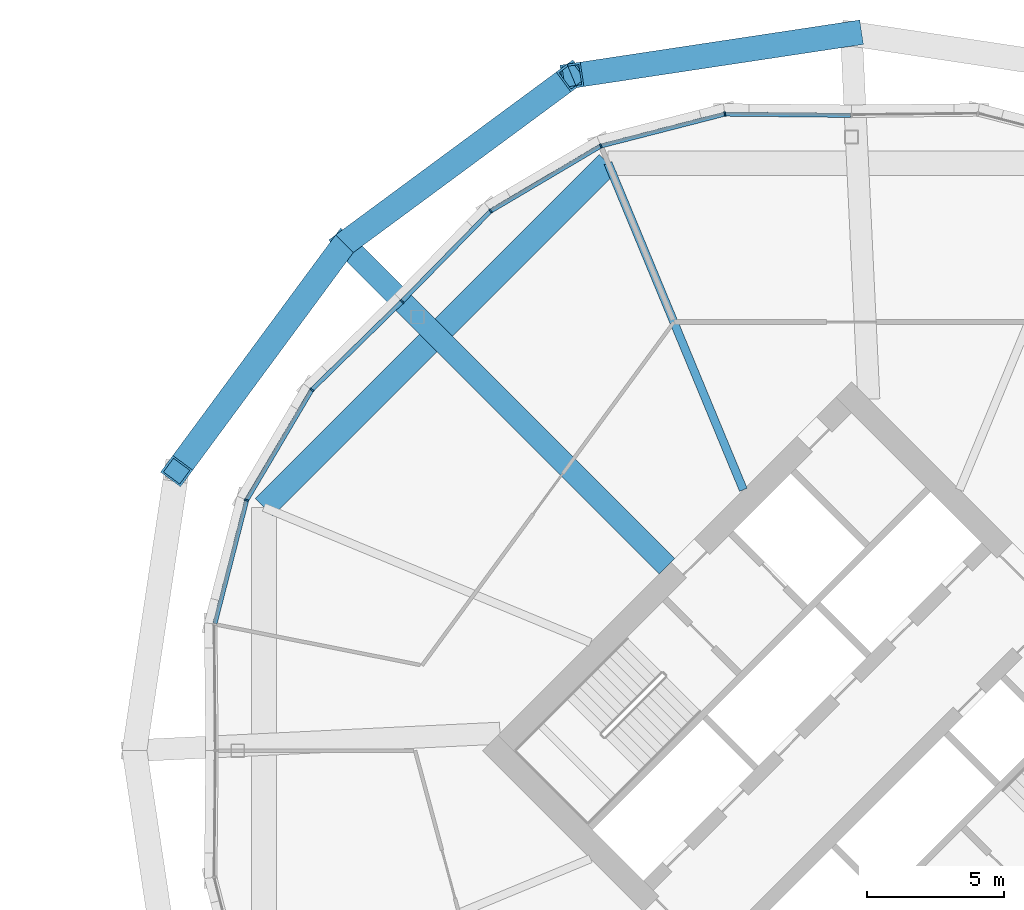
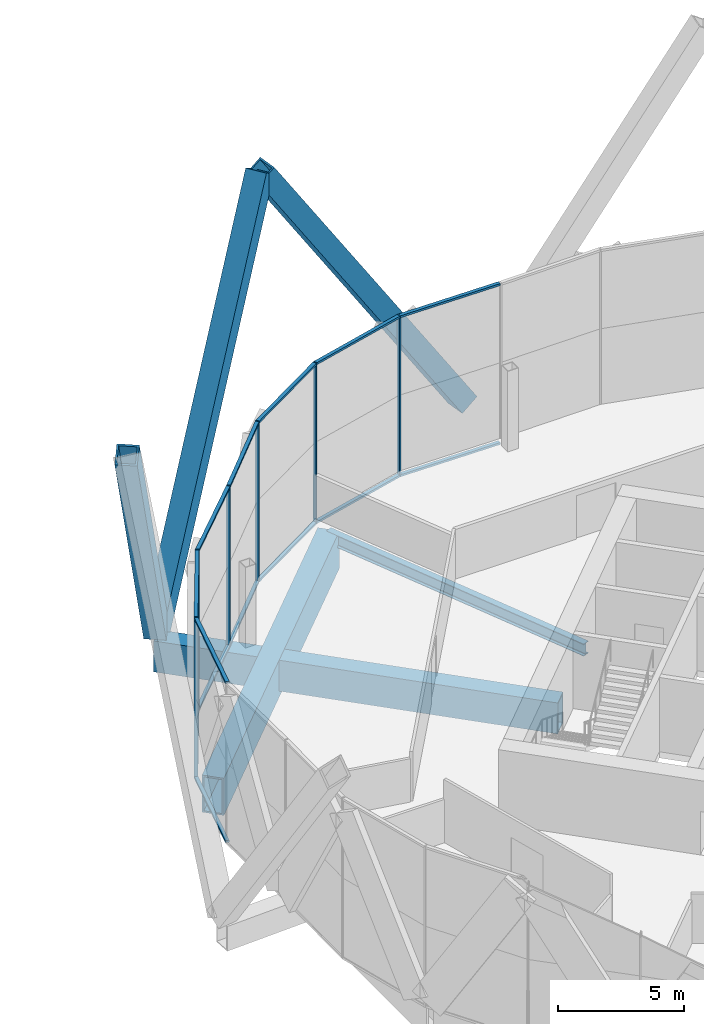
# One storey, part 16 of 28: 23 members, 3 beams, 2 elements without a shape of their own.
"""IFC4 building model written with IfcOpenShell, lengths in metres."""

from ifc_helpers import new_model, si_unit, direction, frame, origin, origin_2d, place, context, subcontext, project, spatial, rectangle, hollow_rectangle, i_section, extrude, material, material_profile, profile_set, type_object, element, aggregate, save


model = new_model("IFC4")

# Units and contexts
model_context = context("Model", 3, precision=1e-05, world=origin(), true_north=direction((0.0, 1.0)))
body_context = subcontext(model_context, "Body", "Model", "MODEL_VIEW")
ifc_project = project(units=[si_unit("LENGTHUNIT", "METRE"), si_unit("AREAUNIT", "SQUARE_METRE"), si_unit("VOLUMEUNIT", "CUBIC_METRE"), si_unit("PLANEANGLEUNIT", "RADIAN"), si_unit("MASSUNIT", "GRAM", prefix="KILO")], contexts=[model_context])

# Site, building, storey
site_placement = place(None, origin())
site = spatial("IfcSite", under=ifc_project, at=site_placement, CompositionType="ELEMENT")
building_placement = place(site_placement, origin())
building = spatial("IfcBuilding", under=site, at=building_placement, Name="Ogive Gate Towers", CompositionType="ELEMENT")
storey_placement = place(building_placement, frame((0.0, 0.0, 115.199951171875)))
storey = spatial("IfcBuildingStorey", under=building, at=storey_placement, Name="L27", CompositionType="ELEMENT", Elevation=115.199951171875)

# Members
ifc_material_1 = material(Name="Steel SM460", Category="steel")
ifc_material_profile_1 = material_profile(ifc_material_1, hollow_rectangle(XDim=0.89990234375, YDim=0.89990234375, WallThickness=0.080078125, at=origin_2d()), Name="BX 900x900x80")
ifc_profile_set_1 = profile_set([ifc_material_profile_1], Name="Steel SM460")
member_type_1 = type_object("IfcMemberType", Name="Diagrid diagonal BX 900x900x80", PredefinedType="BRACE", material=ifc_profile_set_1)
for number, where, z_axis, x_axis, name in (
    (1, (36.0, 26.110107421875, 0.0), (-0.544627829519, -0.082121961007, 0.834647536889), (0.149100004323, -0.988822121876, 0.0), "T2/L27/SDG006"),
    (2, (17.537353515625, 18.462646484375, 0.0), (0.443175302272, 0.327039025082, 0.83465030254), (-0.593774070845, 0.804631811944, 0.0), "T2/L27/SDG007"),
    (3, (17.537353515625, 18.462646484375, 0.0), (-0.327039025082, -0.443175302272, 0.83465030254), (0.804631811944, -0.593774070845, 0.0), "T2/L27/SDG008"),
):
    element("IfcMember", number, at=place(storey_placement, frame(where, z_axis=z_axis, x_axis=x_axis)), inside=storey, type_object=member_type_1, Name=name, PredefinedType="BRACE", context=body_context, shape_type="SweptSolid", body=[
        extrude(hollow_rectangle(XDim=0.89990234375, YDim=0.89990234375, WallThickness=0.080078125, at=origin_2d()), origin(), (0.0, 0.0, 1.0), 18.690673828125),
    ])

# Beams
ifc_material_profile_2 = material_profile(ifc_material_1, hollow_rectangle(XDim=0.89990234375, YDim=1.800048828125, WallThickness=0.080078125, at=origin_2d()), Name="BX 1800x900x80")
ifc_profile_set_2 = profile_set([ifc_material_profile_2], Name="Steel SM460")
beam_type_1 = type_object("IfcBeamType", Name="Edge girder BX 1800x900x80", PredefinedType="BEAM", material=ifc_profile_set_2)
beam_1_placement = place(storey_placement, frame((27.136962890625, 21.39697265625, -1.199951171875), z_axis=(-0.707106781187, -0.707106781187, 0.0), x_axis=(0.707106781187, -0.707106781187, 0.0)))
element("IfcBeam", 4, at=beam_1_placement, inside=storey, type_object=beam_type_1, Name="T2/L27/SBM023", PredefinedType="BEAM", context=body_context, shape_type="SweptSolid", body=[
    extrude(hollow_rectangle(XDim=0.89990234375, YDim=1.800048828125, WallThickness=0.080078125, at=origin_2d()), origin(), (0.0, 0.0, 1.0), 17.7255859375),
])
ifc_material_2 = material(Name="Steel SM355", Category="steel")
ifc_material_profile_3 = material_profile(ifc_material_2, i_section(OverallWidth=0.300048828125, OverallDepth=0.590087890625, WebThickness=0.012939453125, FlangeThickness=0.02490234375, FilletRadius=0.027099609375, at=origin_2d()), Name="HE 600 A")
ifc_profile_set_3 = profile_set([ifc_material_profile_3], Name="Steel SM355")
beam_type_2 = type_object("IfcBeamType", Name="Radial floor beam HE 600 A", PredefinedType="BEAM", material=ifc_profile_set_3)
beam_2_placement = place(storey_placement, frame((32.06494140625, 9.5, -0.594970703125), z_axis=(-0.382689470177, 0.923877031545, 0.0), x_axis=(-0.923877031545, -0.382689470177, 0.0)))
element("IfcBeam", 5, at=beam_2_placement, inside=storey, type_object=beam_type_2, Name="T2/L27/SBM013", PredefinedType="BEAM", context=body_context, shape_type="SweptSolid", body=[
    extrude(i_section(OverallWidth=0.300048828125, OverallDepth=0.590087890625, WebThickness=0.012939453125, FlangeThickness=0.02490234375, FilletRadius=0.027099609375, at=origin_2d()), origin(), (0.0, 0.0, 1.0), 12.877197265625),
])

# Curtain wall, members
ifc_material_3 = material(Name="Pale metal aluminium", Category="aluminium")
curtain_wall_type = type_object("IfcCurtainWallType", Name="Tower unitised wall, low zone", PredefinedType="NOTDEFINED", material=ifc_material_3)
curtain_wall_1_placement = place(storey_placement, origin())
curtain_wall_1 = element("IfcCurtainWall", 6, at=curtain_wall_1_placement, inside=storey, type_object=curtain_wall_type, Name="CW1 T2 ECW03", PredefinedType="NOTDEFINED")
ifc_material_profile_4 = material_profile(ifc_material_3, rectangle(XDim=0.159912109375, YDim=0.06005859375, at=origin_2d()), Name="60 x 160 aluminium box")
ifc_profile_set_4 = profile_set([ifc_material_profile_4], Name="Pale metal aluminium")
member_type_2 = type_object("IfcMemberType", Name="Tower unitised wall, low zone mullion 60 x 160", PredefinedType="MULLION", material=ifc_profile_set_4)
member_1_placement = place(storey_placement, frame((31.393798828125, 23.1875, -0.300048828125), z_axis=(0.0, 0.0, 1.0), x_axis=(-0.120379411626, 0.992727957326, 0.0)))
member_1 = element("IfcMember", 7, at=member_1_placement, type_object=member_type_2, Name="CW1 mullion", PredefinedType="MULLION", context=body_context, shape_type="SweptSolid", body=[
    extrude(rectangle(XDim=0.159912109375, YDim=0.06005859375, at=origin_2d()), origin(), (0.0, 0.0, 1.0), 7.800048828125),
])
member_2_placement = place(storey_placement, frame((26.87646484375, 22.026123046875, -0.300048828125), z_axis=(0.0, 0.0, 1.0), x_axis=(-0.382683432365, 0.923879532511, 0.0)))
member_2 = element("IfcMember", 8, at=member_2_placement, type_object=member_type_2, Name="CW1 mullion", PredefinedType="MULLION", context=body_context, shape_type="SweptSolid", body=[
    extrude(rectangle(XDim=0.159912109375, YDim=0.06005859375, at=origin_2d()), origin(), (0.0, 0.0, 1.0), 7.800048828125),
])
member_3_placement = place(storey_placement, frame((22.86083984375, 19.653076171875, -0.300048828125), z_axis=(0.0, 0.0, 1.0), x_axis=(-0.616843572223, 0.787085768775, 0.0)))
member_3 = element("IfcMember", 9, at=member_3_placement, type_object=member_type_2, Name="CW1 mullion", PredefinedType="MULLION", context=body_context, shape_type="SweptSolid", body=[
    extrude(rectangle(XDim=0.159912109375, YDim=0.06005859375, at=origin_2d()), origin(), (0.0, 0.0, 1.0), 7.800048828125),
])
member_4_placement = place(storey_placement, frame((19.6376953125, 16.362548828125, -0.300048828125), z_axis=(0.0, 0.0, 1.0), x_axis=(-0.714350554462, 0.699788028863, 0.0)))
member_4 = element("IfcMember", 10, at=member_4_placement, type_object=member_type_2, Name="CW1 mullion", PredefinedType="MULLION", context=body_context, shape_type="SweptSolid", body=[
    extrude(rectangle(XDim=0.159912109375, YDim=0.06005859375, at=origin_2d()), origin(), (0.0, 0.0, 1.0), 7.800048828125),
])

curtain_wall_2_placement = place(storey_placement, origin())
curtain_wall_2 = element("IfcCurtainWall", 11, at=curtain_wall_2_placement, inside=storey, type_object=curtain_wall_type, Name="CW1 T2 ECW04", PredefinedType="NOTDEFINED")
member_5_placement = place(storey_placement, frame((16.346923828125, 13.13916015625, -0.300048828125), z_axis=(0.0, 0.0, 1.0), x_axis=(-0.787085768775, 0.616843572223, 0.0)))
member_5 = element("IfcMember", 12, at=member_5_placement, type_object=member_type_2, Name="CW1 mullion", PredefinedType="MULLION", context=body_context, shape_type="SweptSolid", body=[
    extrude(rectangle(XDim=0.159912109375, YDim=0.06005859375, at=origin_2d()), origin(), (0.0, 0.0, 1.0), 7.800048828125),
])
member_6_placement = place(storey_placement, frame((13.973876953125, 9.12353515625, -0.300048828125), z_axis=(0.0, 0.0, 1.0), x_axis=(-0.923879532511, 0.382683432365, 0.0)))
member_6 = element("IfcMember", 13, at=member_6_placement, type_object=member_type_2, Name="CW1 mullion", PredefinedType="MULLION", context=body_context, shape_type="SweptSolid", body=[
    extrude(rectangle(XDim=0.159912109375, YDim=0.06005859375, at=origin_2d()), origin(), (0.0, 0.0, 1.0), 7.800048828125),
])

# Member
ifc_material_profile_5 = material_profile(ifc_material_3, rectangle(XDim=0.159912109375, YDim=0.10009765625, at=origin_2d()), Name="100 x 160 aluminium box")
ifc_profile_set_5 = profile_set([ifc_material_profile_5], Name="Pale metal aluminium")
member_type_3 = type_object("IfcMemberType", Name="Tower unitised wall, low zone transom 100 x 160", PredefinedType="USERDEFINED", material=ifc_profile_set_5)
member_7_placement = place(storey_placement, frame((35.9697265625, 23.140380859375, 7.449951171875), z_axis=(-0.999947449507, 0.010251742504, 0.0), x_axis=(-0.010251742504, -0.999947449507, 0.0)))
member_7 = element("IfcMember", 14, at=member_7_placement, type_object=member_type_3, Name="CW1 transom", ObjectType="TRANSOM", PredefinedType="USERDEFINED", context=body_context, shape_type="SweptSolid", body=[
    extrude(rectangle(XDim=0.159912109375, YDim=0.10009765625, at=origin_2d()), origin(), (0.0, 0.0, 1.0), 4.548583984375),
])

member_8_placement = place(storey_placement, frame((35.9697265625, 23.140380859375, -0.25), z_axis=(-0.999947449507, 0.010251742504, 0.0), x_axis=(-0.010251742504, -0.999947449507, 0.0)))
member_8 = element("IfcMember", 15, at=member_8_placement, type_object=member_type_3, Name="CW1 transom", ObjectType="TRANSOM", PredefinedType="USERDEFINED", context=body_context, shape_type="SweptSolid", body=[
    extrude(rectangle(XDim=0.159912109375, YDim=0.10009765625, at=origin_2d()), origin(), (0.0, 0.0, 1.0), 4.548583984375),
])

member_9_placement = place(storey_placement, frame((31.367431640625, 23.1806640625, 7.449951171875), z_axis=(-0.968497677012, -0.249022588577, 0.0), x_axis=(0.249022588577, -0.968497677012, 0.0)))
member_9 = element("IfcMember", 16, at=member_9_placement, type_object=member_type_3, Name="CW1 transom", ObjectType="TRANSOM", PredefinedType="USERDEFINED", context=body_context, shape_type="SweptSolid", body=[
    extrude(rectangle(XDim=0.159912109375, YDim=0.10009765625, at=origin_2d()), origin(), (0.0, 0.0, 1.0), 4.60986328125),
])

member_10_placement = place(storey_placement, frame((31.367431640625, 23.1806640625, -0.25), z_axis=(-0.968497677012, -0.249022588577, 0.0), x_axis=(0.249022588577, -0.968497677012, 0.0)))
member_10 = element("IfcMember", 17, at=member_10_placement, type_object=member_type_3, Name="CW1 transom", ObjectType="TRANSOM", PredefinedType="USERDEFINED", context=body_context, shape_type="SweptSolid", body=[
    extrude(rectangle(XDim=0.159912109375, YDim=0.10009765625, at=origin_2d()), origin(), (0.0, 0.0, 1.0), 4.60986328125),
])

member_11_placement = place(storey_placement, frame((26.85302734375, 22.01220703125, 7.449951171875), z_axis=(-0.860885405398, -0.508798898164, 0.0), x_axis=(0.508798898164, -0.860885405398, 0.0)))
member_11 = element("IfcMember", 18, at=member_11_placement, type_object=member_type_3, Name="CW1 transom", ObjectType="TRANSOM", PredefinedType="USERDEFINED", context=body_context, shape_type="SweptSolid", body=[
    extrude(rectangle(XDim=0.159912109375, YDim=0.10009765625, at=origin_2d()), origin(), (0.0, 0.0, 1.0), 4.60986328125),
])

member_12_placement = place(storey_placement, frame((26.85302734375, 22.01220703125, -0.25), z_axis=(-0.860885405398, -0.508798898164, 0.0), x_axis=(0.508798898164, -0.860885405398, 0.0)))
member_12 = element("IfcMember", 19, at=member_12_placement, type_object=member_type_3, Name="CW1 transom", ObjectType="TRANSOM", PredefinedType="USERDEFINED", context=body_context, shape_type="SweptSolid", body=[
    extrude(rectangle(XDim=0.159912109375, YDim=0.10009765625, at=origin_2d()), origin(), (0.0, 0.0, 1.0), 4.60986328125),
])

member_13_placement = place(storey_placement, frame((22.841796875, 19.63330078125, 7.449951171875), z_axis=(-0.699796604064, -0.714342153972, 0.0), x_axis=(0.714342153972, -0.699796604064, 0.0)))
member_13 = element("IfcMember", 20, at=member_13_placement, type_object=member_type_3, Name="CW1 transom", ObjectType="TRANSOM", PredefinedType="USERDEFINED", context=body_context, shape_type="SweptSolid", body=[
    extrude(rectangle(XDim=0.159912109375, YDim=0.10009765625, at=origin_2d()), origin(), (0.0, 0.0, 1.0), 4.548583984375),
])

member_14_placement = place(storey_placement, frame((22.841796875, 19.63330078125, -0.25), z_axis=(-0.699796604064, -0.714342153972, 0.0), x_axis=(0.714342153972, -0.699796604064, 0.0)))
member_14 = element("IfcMember", 21, at=member_14_placement, type_object=member_type_3, Name="CW1 transom", ObjectType="TRANSOM", PredefinedType="USERDEFINED", context=body_context, shape_type="SweptSolid", body=[
    extrude(rectangle(XDim=0.159912109375, YDim=0.10009765625, at=origin_2d()), origin(), (0.0, 0.0, 1.0), 4.548583984375),
])

aggregate(curtain_wall_1, [member_1, member_7, member_8, member_2, member_9, member_10, member_3, member_11, member_12, member_4, member_13, member_14])

member_15_placement = place(storey_placement, frame((19.615966796875, 16.34130859375, 7.449951171875), z_axis=(-0.714342153972, -0.699796604064, 0.0), x_axis=(0.699796604064, -0.714342153972, 0.0)))
member_15 = element("IfcMember", 22, at=member_15_placement, type_object=member_type_3, Name="CW1 transom", ObjectType="TRANSOM", PredefinedType="USERDEFINED", context=body_context, shape_type="SweptSolid", body=[
    extrude(rectangle(XDim=0.159912109375, YDim=0.10009765625, at=origin_2d()), origin(), (0.0, 0.0, 1.0), 4.548583984375),
])

member_16_placement = place(storey_placement, frame((19.615966796875, 16.34130859375, -0.25), z_axis=(-0.714342153972, -0.699796604064, 0.0), x_axis=(0.699796604064, -0.714342153972, 0.0)))
member_16 = element("IfcMember", 23, at=member_16_placement, type_object=member_type_3, Name="CW1 transom", ObjectType="TRANSOM", PredefinedType="USERDEFINED", context=body_context, shape_type="SweptSolid", body=[
    extrude(rectangle(XDim=0.159912109375, YDim=0.10009765625, at=origin_2d()), origin(), (0.0, 0.0, 1.0), 4.548583984375),
])

member_17_placement = place(storey_placement, frame((16.333251953125, 13.115478515625, 7.449951171875), z_axis=(-0.508798898164, -0.860885405398, 0.0), x_axis=(0.860885405398, -0.508798898164, 0.0)))
member_17 = element("IfcMember", 24, at=member_17_placement, type_object=member_type_3, Name="CW1 transom", ObjectType="TRANSOM", PredefinedType="USERDEFINED", context=body_context, shape_type="SweptSolid", body=[
    extrude(rectangle(XDim=0.159912109375, YDim=0.10009765625, at=origin_2d()), origin(), (0.0, 0.0, 1.0), 4.60986328125),
])

member_18_placement = place(storey_placement, frame((16.333251953125, 13.115478515625, -0.25), z_axis=(-0.508798898164, -0.860885405398, 0.0), x_axis=(0.860885405398, -0.508798898164, 0.0)))
member_18 = element("IfcMember", 25, at=member_18_placement, type_object=member_type_3, Name="CW1 transom", ObjectType="TRANSOM", PredefinedType="USERDEFINED", context=body_context, shape_type="SweptSolid", body=[
    extrude(rectangle(XDim=0.159912109375, YDim=0.10009765625, at=origin_2d()), origin(), (0.0, 0.0, 1.0), 4.60986328125),
])

member_19_placement = place(storey_placement, frame((13.96728515625, 9.09716796875, 7.449951171875), z_axis=(-0.249022588577, -0.968497677012, 0.0), x_axis=(0.968497677012, -0.249022588577, 0.0)))
member_19 = element("IfcMember", 26, at=member_19_placement, type_object=member_type_3, Name="CW1 transom", ObjectType="TRANSOM", PredefinedType="USERDEFINED", context=body_context, shape_type="SweptSolid", body=[
    extrude(rectangle(XDim=0.159912109375, YDim=0.10009765625, at=origin_2d()), origin(), (0.0, 0.0, 1.0), 4.60986328125),
])

member_20_placement = place(storey_placement, frame((13.96728515625, 9.09716796875, -0.25), z_axis=(-0.249022588577, -0.968497677012, 0.0), x_axis=(0.968497677012, -0.249022588577, 0.0)))
member_20 = element("IfcMember", 27, at=member_20_placement, type_object=member_type_3, Name="CW1 transom", ObjectType="TRANSOM", PredefinedType="USERDEFINED", context=body_context, shape_type="SweptSolid", body=[
    extrude(rectangle(XDim=0.159912109375, YDim=0.10009765625, at=origin_2d()), origin(), (0.0, 0.0, 1.0), 4.60986328125),
])

aggregate(curtain_wall_2, [member_5, member_15, member_16, member_6, member_17, member_18, member_19, member_20])

# Beam
ifc_material_profile_6 = material_profile(ifc_material_1, hollow_rectangle(XDim=0.800048828125, YDim=1.5, WallThickness=0.06005859375, at=origin_2d()), Name="BX 1500x800x60")
ifc_profile_set_6 = profile_set([ifc_material_profile_6], Name="Steel SM460")
beam_type_3 = type_object("IfcBeamType", Name="Transfer radial beam BX 1500x800x60", PredefinedType="BEAM", material=ifc_profile_set_6)
beam_3_placement = place(storey_placement, frame((29.282470703125, 6.717529296875, -1.050048828125), z_axis=(-0.707106781187, 0.707106781187, 0.0), x_axis=(-0.707106781187, -0.707106781187, 0.0)))
element("IfcBeam", 28, at=beam_3_placement, inside=storey, type_object=beam_type_3, Name="T2/L27/SBM014", PredefinedType="BEAM", context=body_context, shape_type="SweptSolid", body=[
    extrude(hollow_rectangle(XDim=0.800048828125, YDim=1.5, WallThickness=0.06005859375, at=origin_2d()), origin(), (0.0, 0.0, 1.0), 16.610107421875),
])

save(model, "model.ifc")
